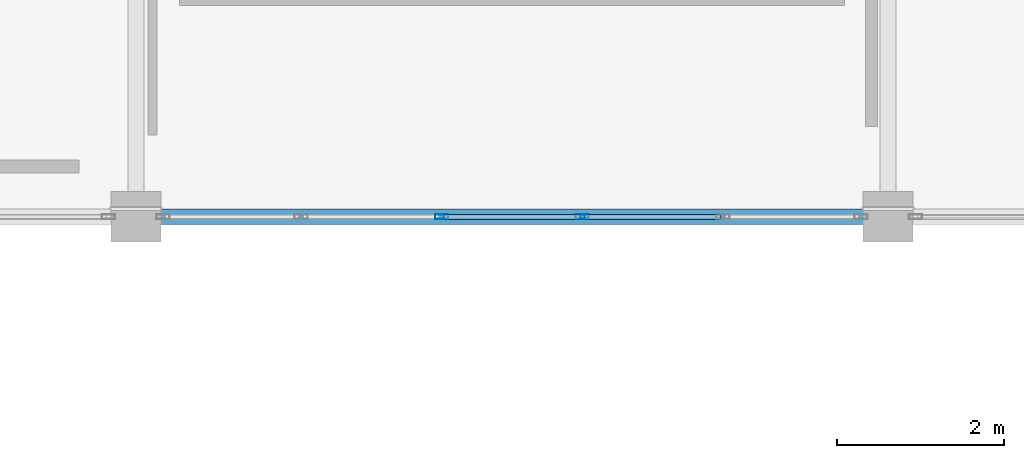
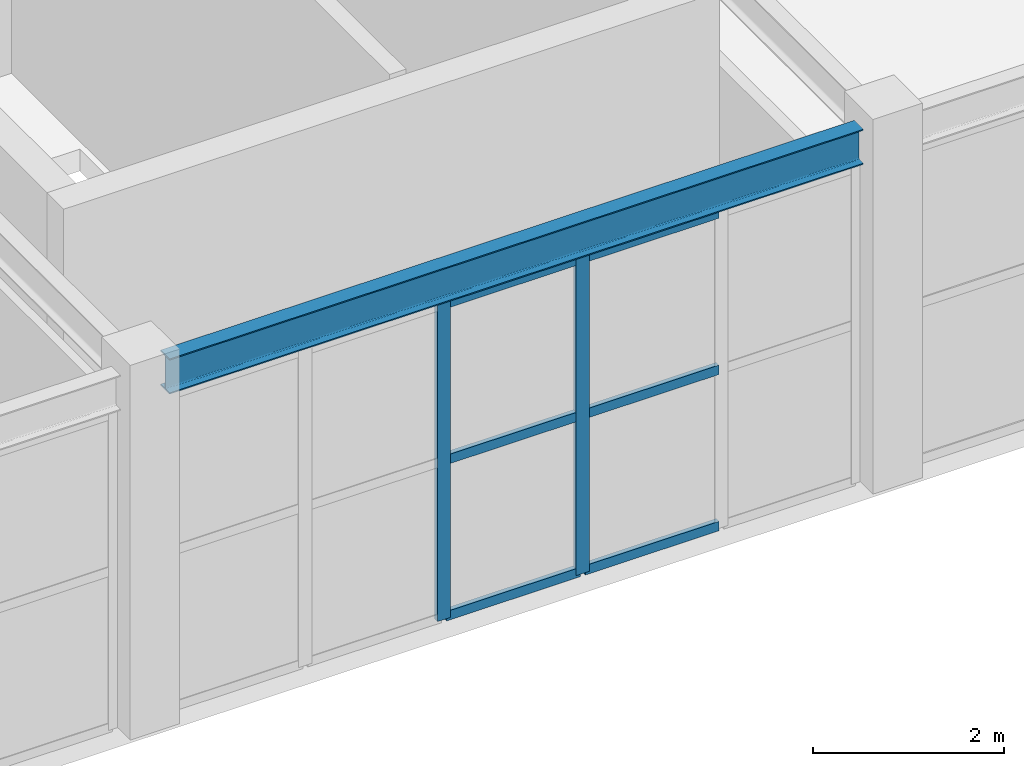
# One storey, part 97 of 167: 8 members, 1 beam, 1 element without a shape of its own.
"""IFC4 building model written with IfcOpenShell, lengths in metres."""

from ifc_helpers import new_model, si_unit, direction, frame, origin, origin_2d, place, context, subcontext, project, spatial, hollow_rectangle, i_section, extrude, material, layer, layer_set, material_profile, profile_set, type_object, element, aggregate, save


model = new_model("IFC4")

# Units and contexts
model_context = context("Model", 3, precision=1e-05, world=origin(), true_north=direction((0.0, 1.0)))
body_context = subcontext(model_context, "Body", "Model", "MODEL_VIEW")
ifc_project = project(units=[si_unit("LENGTHUNIT", "METRE"), si_unit("AREAUNIT", "SQUARE_METRE"), si_unit("VOLUMEUNIT", "CUBIC_METRE"), si_unit("PLANEANGLEUNIT", "RADIAN"), si_unit("MASSUNIT", "GRAM", prefix="KILO")], contexts=[model_context])

# Site, building, storey
site_placement = place(None, origin())
site = spatial("IfcSite", under=ifc_project, at=site_placement, CompositionType="ELEMENT")
building_placement = place(site_placement, origin())
building = spatial("IfcBuilding", under=site, at=building_placement, Name="Dornveld Trade and Exhibition Forum", CompositionType="ELEMENT")
storey_placement = place(building_placement, frame((0.0, 0.0, 16.800048828125)))
storey = spatial("IfcBuildingStorey", under=building, at=storey_placement, Name="L03", CompositionType="ELEMENT", Elevation=16.800048828125)

# Beam
ifc_material_1 = material(Name="Steel S355J2", Category="steel")
ifc_material_profile_1 = material_profile(ifc_material_1, i_section(OverallWidth=0.18994140625, OverallDepth=0.449951171875, WebThickness=0.009521484375, FlangeThickness=0.0146484375, FilletRadius=0.02099609375, at=origin_2d()), Name="IPE 450")
ifc_profile_set_1 = profile_set([ifc_material_profile_1], Name="Steel S355J2")
beam_type = type_object("IfcBeamType", Name="BM-SEC-450", PredefinedType="BEAM", material=ifc_profile_set_1)
beam_placement = place(storey_placement, frame((180.2958984375, 108.0, 4.324951171875), z_axis=(1.0, 0.0, 0.0), x_axis=(0.0, 1.0, 0.0)))
element("IfcBeam", 1, at=beam_placement, inside=storey, type_object=beam_type, Name="L03 X-girder 1636", PredefinedType="BEAM", context=body_context, shape_type="SweptSolid", body=[
    extrude(i_section(OverallWidth=0.18994140625, OverallDepth=0.449951171875, WebThickness=0.009521484375, FlangeThickness=0.0146484375, FilletRadius=0.02099609375, at=origin_2d()), origin(), (0.0, 0.0, 1.0), 8.408203125),
])

# Curtain wall, members
ifc_material_2 = material(Name="Dark-bronze anodised aluminium and low-E glass", Category="aluminium")
ifc_layer = layer(ifc_material_2, 0.177978515625)
ifc_layer_set = layer_set([ifc_layer], Name="Dark-bronze anodised aluminium and low-E glass")
curtain_wall_type = type_object("IfcCurtainWallType", Name="CW-SYS-12", PredefinedType="USERDEFINED", material=ifc_layer_set)
curtain_wall_placement = place(storey_placement, origin())
curtain_wall = element("IfcCurtainWall", 2, at=curtain_wall_placement, inside=storey, type_object=curtain_wall_type, Name="L03 unitised curtain wall 120", ObjectType="UNITISED_CURTAIN_WALL", PredefinedType="USERDEFINED")
ifc_material_3 = material(Name="Dark-bronze anodised aluminium", Category="aluminium")
ifc_material_profile_2 = material_profile(ifc_material_3, hollow_rectangle(XDim=0.06005859375, YDim=0.159912109375, WallThickness=0.00390625, at=origin_2d()), Name="RHS 160x60x4")
ifc_profile_set_2 = profile_set([ifc_material_profile_2], Name="Dark-bronze anodised aluminium")
member_type_1 = type_object("IfcMemberType", Name="CW-MUL-160", PredefinedType="MULLION", material=ifc_profile_set_2)
member_1_placement = place(storey_placement, frame((183.6591796875, 108.0, -0.004150390625), z_axis=(0.0, 0.0, 1.0), x_axis=(0.0, 1.0, 0.0)))
member_1 = element("IfcMember", 3, at=member_1_placement, type_object=member_type_1, Name="CW-12 mullion 3", PredefinedType="MULLION", context=body_context, shape_type="SweptSolid", body=[
    extrude(hollow_rectangle(XDim=0.06005859375, YDim=0.159912109375, WallThickness=0.00390625, at=origin_2d()), origin(), (0.0, 0.0, 1.0), 4.064208984375),
])
member_2_placement = place(storey_placement, frame((185.3408203125, 108.0, -0.004150390625), z_axis=(0.0, 0.0, 1.0), x_axis=(0.0, 1.0, 0.0)))
member_2 = element("IfcMember", 4, at=member_2_placement, type_object=member_type_1, Name="CW-12 mullion 4", PredefinedType="MULLION", context=body_context, shape_type="SweptSolid", body=[
    extrude(hollow_rectangle(XDim=0.06005859375, YDim=0.159912109375, WallThickness=0.00390625, at=origin_2d()), origin(), (0.0, 0.0, 1.0), 4.064208984375),
])
ifc_material_4 = material(Name="Dark-bronze anodised aluminium", Category="aluminium")
ifc_material_profile_3 = material_profile(ifc_material_4, hollow_rectangle(XDim=0.06005859375, YDim=0.1201171875, WallThickness=0.00390625, at=origin_2d()), Name="RHS 120x60x4")
ifc_profile_set_3 = profile_set([ifc_material_profile_3], Name="Dark-bronze anodised aluminium")
member_type_2 = type_object("IfcMemberType", Name="CW-TRN-120", PredefinedType="USERDEFINED", material=ifc_profile_set_3)
member_3_placement = place(storey_placement, frame((183.689208984375, 108.0, 0.02587890625), z_axis=(1.0, 0.0, 0.0), x_axis=(0.0, 1.0, 0.0)))
member_3 = element("IfcMember", 5, at=member_3_placement, type_object=member_type_2, Name="CW-12 transom 3.1", ObjectType="TRANSOM", PredefinedType="USERDEFINED", context=body_context, shape_type="SweptSolid", body=[
    extrude(hollow_rectangle(XDim=0.06005859375, YDim=0.1201171875, WallThickness=0.00390625, at=origin_2d()), origin(), (0.0, 0.0, 1.0), 1.62158203125),
])
member_4_placement = place(storey_placement, frame((183.689208984375, 108.0, 2.02783203125), z_axis=(1.0, 0.0, 0.0), x_axis=(0.0, 1.0, 0.0)))
member_4 = element("IfcMember", 6, at=member_4_placement, type_object=member_type_2, Name="CW-12 transom 3.2", ObjectType="TRANSOM", PredefinedType="USERDEFINED", context=body_context, shape_type="SweptSolid", body=[
    extrude(hollow_rectangle(XDim=0.06005859375, YDim=0.1201171875, WallThickness=0.00390625, at=origin_2d()), origin(), (0.0, 0.0, 1.0), 1.62158203125),
])
member_5_placement = place(storey_placement, frame((183.689208984375, 108.0, 4.030029296875), z_axis=(1.0, 0.0, 0.0), x_axis=(0.0, 1.0, 0.0)))
member_5 = element("IfcMember", 7, at=member_5_placement, type_object=member_type_2, Name="CW-12 transom 3.3", ObjectType="TRANSOM", PredefinedType="USERDEFINED", context=body_context, shape_type="SweptSolid", body=[
    extrude(hollow_rectangle(XDim=0.06005859375, YDim=0.1201171875, WallThickness=0.00390625, at=origin_2d()), origin(), (0.0, 0.0, 1.0), 1.62158203125),
])
member_6_placement = place(storey_placement, frame((185.370849609375, 108.0, 0.02587890625), z_axis=(1.0, 0.0, 0.0), x_axis=(0.0, 1.0, 0.0)))
member_6 = element("IfcMember", 8, at=member_6_placement, type_object=member_type_2, Name="CW-12 transom 4.1", ObjectType="TRANSOM", PredefinedType="USERDEFINED", context=body_context, shape_type="SweptSolid", body=[
    extrude(hollow_rectangle(XDim=0.06005859375, YDim=0.1201171875, WallThickness=0.00390625, at=origin_2d()), origin(), (0.0, 0.0, 1.0), 1.62158203125),
])
member_7_placement = place(storey_placement, frame((185.370849609375, 108.0, 2.02783203125), z_axis=(1.0, 0.0, 0.0), x_axis=(0.0, 1.0, 0.0)))
member_7 = element("IfcMember", 9, at=member_7_placement, type_object=member_type_2, Name="CW-12 transom 4.2", ObjectType="TRANSOM", PredefinedType="USERDEFINED", context=body_context, shape_type="SweptSolid", body=[
    extrude(hollow_rectangle(XDim=0.06005859375, YDim=0.1201171875, WallThickness=0.00390625, at=origin_2d()), origin(), (0.0, 0.0, 1.0), 1.62158203125),
])
member_8_placement = place(storey_placement, frame((185.370849609375, 108.0, 4.030029296875), z_axis=(1.0, 0.0, 0.0), x_axis=(0.0, 1.0, 0.0)))
member_8 = element("IfcMember", 10, at=member_8_placement, type_object=member_type_2, Name="CW-12 transom 4.3", ObjectType="TRANSOM", PredefinedType="USERDEFINED", context=body_context, shape_type="SweptSolid", body=[
    extrude(hollow_rectangle(XDim=0.06005859375, YDim=0.1201171875, WallThickness=0.00390625, at=origin_2d()), origin(), (0.0, 0.0, 1.0), 1.62158203125),
])
aggregate(curtain_wall, [member_1, member_2, member_3, member_4, member_5, member_6, member_7, member_8])

save(model, "model.ifc")
